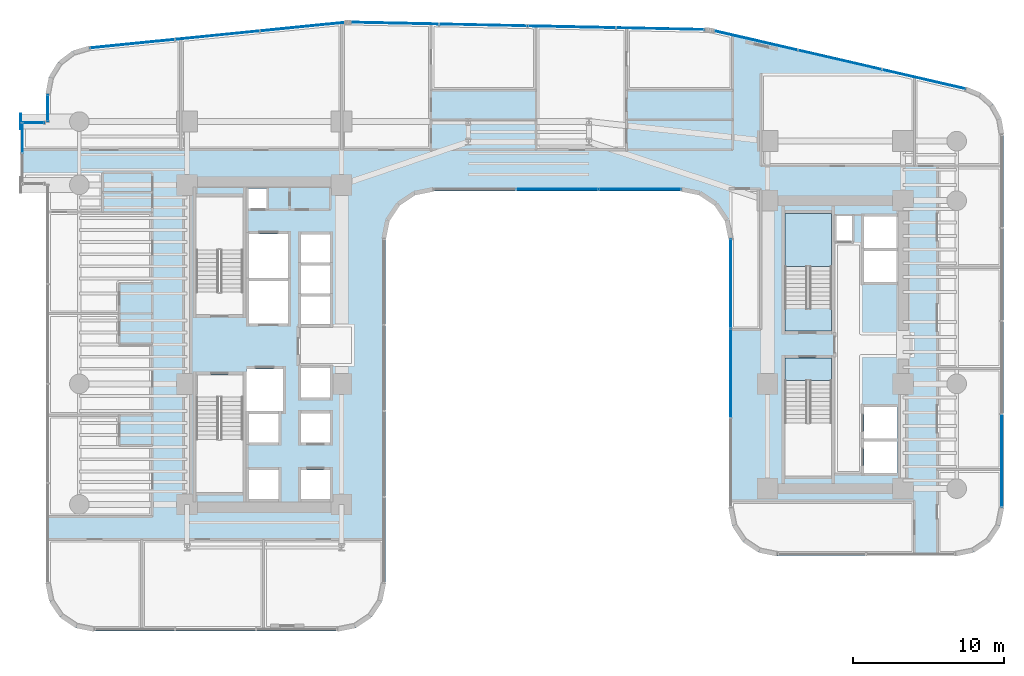
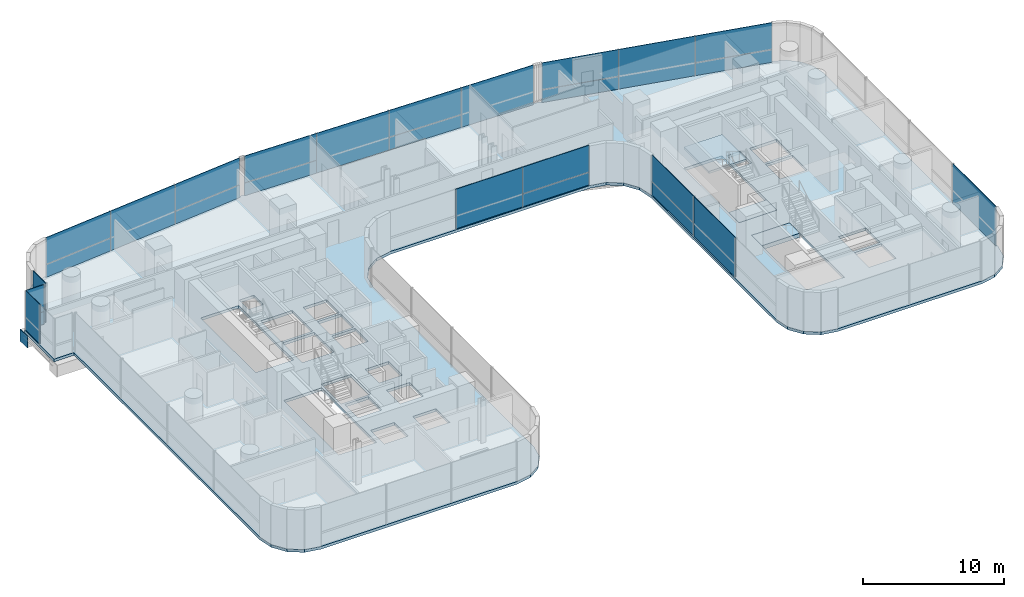
# One storey, part 30 of 41: 29 plates, 4 slabs, 10 elements without a shape of their own.
"""IFC4 building model written with IfcOpenShell, lengths in metres."""

from ifc_helpers import new_model, si_unit, direction, frame, origin, origin_2d, place, context, subcontext, project, spatial, polyline, rectangle, outline, extrude, source, transform, mapped, material, layer, layer_set, type_object, element, aggregate, save


model = new_model("IFC4")

# Units and contexts
model_context = context("Model", 3, precision=1e-05, world=origin(), true_north=direction((0.0, 1.0)))
body_context = subcontext(model_context, "Body", "Model", "MODEL_VIEW")
ifc_project = project(units=[si_unit("LENGTHUNIT", "METRE"), si_unit("AREAUNIT", "SQUARE_METRE"), si_unit("VOLUMEUNIT", "CUBIC_METRE"), si_unit("PLANEANGLEUNIT", "RADIAN"), si_unit("MASSUNIT", "GRAM", prefix="KILO")], contexts=[model_context])

# Site, building, storey
site_placement = place(None, origin())
site = spatial("IfcSite", under=ifc_project, at=site_placement, CompositionType="ELEMENT")
building_placement = place(site_placement, origin())
building = spatial("IfcBuilding", under=site, at=building_placement, Name="Valdorenza Pilgrim Sanctuary Tower", CompositionType="ELEMENT")
storey_placement = place(building_placement, frame((0.0, 0.0, 88.89990234375)))
storey = spatial("IfcBuildingStorey", under=building, at=storey_placement, Name="L22", CompositionType="ELEMENT", Elevation=88.89990234375)

# Slab
ifc_material_1 = material(Name="Concrete C40/50", Category="concrete")
ifc_layer_1 = layer(ifc_material_1, 0.239990234375, Name="Concrete C40/50")
ifc_layer_set_1 = layer_set([ifc_layer_1], Name="Concrete C40/50")
slab_type_1 = type_object("IfcSlabType", Name="SLAB-FLR-220", PredefinedType="FLOOR", material=ifc_layer_set_1)
slab_1_placement = place(storey_placement, frame((0.0, 0.0, -0.239990234375)))
element("IfcSlab", 1, at=slab_1_placement, inside=storey, type_object=slab_type_1, Name="L22 Structural Floor Slab 1", PredefinedType="FLOOR", context=body_context, shape_type="SweptSolid", body=[
    extrude(outline(polyline([(-31.785888671875, 17.754638671875), (-31.172607421875, 18.751220703125), (-30.241943359375, 19.460693359375), (-29.118408203125, 19.7880859375), (-12.192138671875, 21.480712890625), (-11.999755859375, 21.494140625), (-11.9033203125, 21.49658203125), (11.66943359375, 21.0068359375), (11.833984375, 20.999267578125), (11.997802734375, 20.983154296875), (12.160888671875, 20.95849609375), (12.322265625, 20.925537109375), (29.01953125, 17.072509765625), (30.00732421875, 16.660888671875), (30.80419921875, 15.946533203125), (31.321044921875, 15.009521484375), (31.5, 13.954345703125), (31.5, -10.800048828125), (31.25634765625, -12.024658203125), (30.562744140625, -13.062744140625), (29.524658203125, -13.75634765625), (28.300048828125, -14.0), (16.5, -14.0), (15.275390625, -13.75634765625), (14.2373046875, -13.062744140625), (13.543701171875, -12.024658203125), (13.300048828125, -10.800048828125), (13.300048828125, 7.0), (13.056396484375, 8.224609375), (12.36279296875, 9.2626953125), (11.32470703125, 9.956298828125), (10.10009765625, 10.199951171875), (-6.300048828125, 10.199951171875), (-7.524658203125, 9.956298828125), (-8.562744140625, 9.2626953125), (-9.25634765625, 8.224609375), (-9.5, 7.0), (-9.5, -15.800048828125), (-9.74365234375, -17.024658203125), (-10.437255859375, -18.062744140625), (-11.475341796875, -18.75634765625), (-12.699951171875, -19.0), (-28.800048828125, -19.0), (-30.024658203125, -18.75634765625), (-31.062744140625, -18.062744140625), (-31.75634765625, -17.024658203125), (-32.0, -15.800048828125), (-32.0, 10.60009765625), (-33.64990234375, 10.60009765625), (-33.64990234375, 14.800048828125), (-32.0, 14.800048828125), (-32.0, 16.60400390625), (-31.785888671875, 17.754638671875)]), holes=[polyline([(-16.60009765625, -10.25), (-16.60009765625, -8.300048828125), (-18.550048828125, -8.300048828125), (-18.550048828125, -10.25), (-16.60009765625, -10.25)]), polyline([(-22.050048828125, -9.800048828125), (-18.93994140625, -9.800048828125), (-18.93994140625, -3.485107421875), (-18.93994140625, -2.0), (-22.050048828125, -2.0), (-22.050048828125, -3.485107421875), (-22.050048828125, -9.800048828125)]), polyline([(-18.550048828125, -6.5), (-16.60009765625, -6.5), (-16.60009765625, -4.60009765625), (-18.550048828125, -4.60009765625), (-18.550048828125, -6.5)]), polyline([(-13.179931640625, -6.5), (-13.179931640625, -4.550048828125), (-15.10009765625, -4.550048828125), (-15.10009765625, -6.5), (-13.179931640625, -6.5)]), polyline([(-18.719970703125, -4.39990234375), (-16.300048828125, -4.39990234375), (-16.300048828125, -1.60009765625), (-18.719970703125, -1.60009765625), (-18.719970703125, -4.39990234375)]), polyline([(-13.179931640625, -3.5), (-13.179931640625, -1.550048828125), (-15.10009765625, -1.550048828125), (-15.10009765625, -3.5), (-13.179931640625, -3.5)]), polyline([(-22.050048828125, 2.0), (-18.93994140625, 2.0), (-18.93994140625, 3.485107421875), (-18.93994140625, 9.800048828125), (-22.050048828125, 9.800048828125), (-22.050048828125, 3.485107421875), (-22.050048828125, 2.0)]), polyline([(-18.550048828125, 1.39990234375), (-15.949951171875, 1.39990234375), (-15.949951171875, 4.22509765625), (-18.550048828125, 4.22509765625), (-18.550048828125, 1.39990234375)]), polyline([(-15.949951171875, 4.425048828125), (-15.949951171875, 7.35009765625), (-18.550048828125, 7.35009765625), (-18.550048828125, 4.425048828125), (-15.949951171875, 4.425048828125)]), polyline([(-15.10009765625, 5.449951171875), (-13.179931640625, 5.449951171875), (-13.179931640625, 7.300048828125), (-15.10009765625, 7.300048828125), (-15.10009765625, 5.449951171875)]), polyline([(-17.360107421875, 9.030029296875), (-17.360107421875, 10.35009765625), (-18.570068359375, 10.35009765625), (-18.570068359375, 9.030029296875), (-17.360107421875, 9.030029296875)]), polyline([(-15.10009765625, -10.25), (-13.179931640625, -10.25), (-13.179931640625, -8.300048828125), (-15.10009765625, -8.300048828125), (-15.10009765625, -10.25)]), polyline([(22.25, -8.5), (24.47998046875, -8.5), (24.47998046875, -6.425048828125), (22.25, -6.425048828125), (22.25, -8.5)]), polyline([(17.0, -2.385009765625), (17.0, -8.699951171875), (20.110107421875, -8.699951171875), (20.110107421875, -2.385009765625), (20.110107421875, -0.89990234375), (17.0, -0.89990234375), (17.0, -2.385009765625)]), polyline([(22.25, -6.22509765625), (24.47998046875, -6.22509765625), (24.47998046875, -4.14990234375), (22.25, -4.14990234375), (22.25, -6.22509765625)]), polyline([(17.0, 0.89990234375), (20.110107421875, 0.89990234375), (20.110107421875, 2.385009765625), (20.110107421875, 8.699951171875), (17.0, 8.699951171875), (17.0, 2.385009765625), (17.0, 0.89990234375)]), polyline([(-15.10009765625, 1.35009765625), (-13.179931640625, 1.35009765625), (-13.179931640625, 3.199951171875), (-15.10009765625, 3.199951171875), (-15.10009765625, 1.35009765625)]), polyline([(-15.10009765625, 3.39990234375), (-13.179931640625, 3.39990234375), (-13.179931640625, 5.25), (-15.10009765625, 5.25), (-15.10009765625, 3.39990234375)]), polyline([(22.25, 4.14990234375), (24.47998046875, 4.14990234375), (24.47998046875, 6.22509765625), (22.25, 6.22509765625), (22.25, 4.14990234375)]), polyline([(22.25, 6.425048828125), (24.47998046875, 6.425048828125), (24.47998046875, 8.5), (22.25, 8.5), (22.25, 6.425048828125)]), polyline([(20.409912109375, 6.860107421875), (21.489990234375, 6.860107421875), (21.489990234375, 8.52001953125), (20.409912109375, 8.52001953125), (20.409912109375, 6.860107421875)])]), origin(), (0.0, 0.0, 1.0), 0.239990234375),
])

# Stair, slab
stair_type = type_object("IfcStairType", Name="STR-DOG-CORE", PredefinedType="HALF_TURN_STAIR", material=ifc_material_1)
stair_placement = place(storey_placement, origin())
stair = element("IfcStair", 2, at=stair_placement, inside=storey, type_object=stair_type, Name="L22 ST-B1", PredefinedType="HALF_TURN_STAIR")
ifc_layer_2 = layer(ifc_material_1, 0.199951171875, Name="Concrete C40/50")
ifc_layer_set_2 = layer_set([ifc_layer_2], Name="Concrete C40/50")
slab_type_2 = type_object("IfcSlabType", Name="SLAB-STL-200", PredefinedType="LANDING", material=ifc_layer_set_2)
slab_2_placement = place(storey_placement, frame((0.0, 0.0, 1.650146484375)))
slab_2 = element("IfcSlab", 3, at=slab_2_placement, type_object=slab_type_2, Name="ST-B1 landing 1", PredefinedType="LANDING", context=body_context, shape_type="SweptSolid", body=[
    extrude(outline(polyline([(20.110107421875, 5.179931640625), (20.110107421875, 8.699951171875), (17.0, 8.699951171875), (17.0, 5.179931640625), (20.110107421875, 5.179931640625)])), origin(), (0.0, 0.0, 1.0), 0.199951171875),
])
aggregate(stair, [slab_2])

# Slabs
ifc_material_2 = material(Name="Concrete C50/60", Category="concrete")
ifc_layer_3 = layer(ifc_material_2, 0.39990234375, Name="Concrete C50/60")
ifc_layer_set_3 = layer_set([ifc_layer_3], Name="Concrete C50/60")
slab_type_3 = type_object("IfcSlabType", Name="SLAB-TRF-400", PredefinedType="FLOOR", material=ifc_layer_set_3)
slab_3_placement = place(storey_placement, frame((0.0, 0.0, -0.35986328125)))
element("IfcSlab", 4, at=slab_3_placement, inside=storey, type_object=slab_type_3, Name="L22 ST-B1 Structural Stair Landing Bearing Slab", PredefinedType="FLOOR", context=body_context, shape_type="SweptSolid", body=[
    extrude(outline(polyline([(17.0, 0.89990234375), (20.110107421875, 0.89990234375), (20.110107421875, 2.385009765625), (17.0, 2.385009765625), (17.0, 0.89990234375)])), origin(), (0.0, 0.0, 1.0), 0.35986328125),
])
slab_4_placement = place(storey_placement, frame((0.0, 0.0, -0.35986328125)))
element("IfcSlab", 5, at=slab_4_placement, inside=storey, type_object=slab_type_3, Name="L22 ST-B2 Structural Stair Landing Bearing Slab", PredefinedType="FLOOR", context=body_context, shape_type="SweptSolid", body=[
    extrude(outline(polyline([(17.0, -2.385009765625), (20.110107421875, -2.385009765625), (20.110107421875, -0.89990234375), (17.0, -0.89990234375), (17.0, -2.385009765625)])), origin(), (0.0, 0.0, 1.0), 0.35986328125),
])

# Plate
ifc_material_3 = material(Name="Steel ASTM A572 Grade 42", Category="steel")
ifc_layer_4 = layer(ifc_material_3, 0.06005859375, Name="Steel ASTM A572 Grade 42")
ifc_layer_set_4 = layer_set([ifc_layer_4], Name="Steel ASTM A572 Grade 42")
plate_type_1 = type_object("IfcPlateType", Name="PLT-CAP-60", PredefinedType="SHEET", material=ifc_layer_set_4)
shared_shape_1 = source(origin(), body_context, "Body", "SweptSolid", [
    extrude(rectangle(XDim=0.06005859375, YDim=1.0400390625, at=origin_2d()), origin(), (0.0, 0.0, 1.0), 1.0400390625),
])
plate_1_placement = place(storey_placement, frame((-33.679931640625, 14.800048828125, -1.260009765625), z_axis=(0.0, 0.0, 1.0), x_axis=(1.0, 0.0, 0.0)))
element("IfcPlate", 6, at=plate_1_placement, inside=storey, type_object=plate_type_1, Name="L22 BOX-WA-L22 Cantilever Tip End Cap N", PredefinedType="SHEET", context=body_context, shape_type="MappedRepresentation", body=[
    mapped(shared_shape_1, transform((0.0, 0.0, 0.0), x_axis=(1.0, 0.0, 0.0), y_axis=(0.0, 1.0, 0.0), z_axis=(0.0, 0.0, 1.0), scale=1.0)),
])

# Curtain wall, plates
ifc_material_4 = material(Name="Curtain-wall IGU glazing", Category="glass")
curtain_wall_type_1 = type_object("IfcCurtainWallType", Name="CW-SYS-02", PredefinedType="NOTDEFINED", material=ifc_material_4)
curtain_wall_1_placement = place(storey_placement, origin())
curtain_wall_1 = element("IfcCurtainWall", 7, at=curtain_wall_1_placement, inside=storey, type_object=curtain_wall_type_1, Name="L22 Curtain Wall CW-L22-1-6", PredefinedType="NOTDEFINED")
ifc_material_5 = material(Name="Honed travertine limestone", Category="masonry")
ifc_layer_5 = layer(ifc_material_5, 0.050048828125, Name="Honed travertine limestone")
ifc_layer_set_5 = layer_set([ifc_layer_5], Name="Honed travertine limestone")
plate_type_2 = type_object("IfcPlateType", Name="CW-SPN-TRV", PredefinedType="USERDEFINED", material=ifc_layer_set_5)
shared_shape_2 = source(origin(), body_context, "Body", "SweptSolid", [
    extrude(rectangle(XDim=5.646484375, YDim=0.06005859375, at=origin_2d()), origin(), (0.0, 0.0, 1.0), 1.10009765625),
])
plate_2_placement = place(storey_placement, frame((-26.2783203125, 19.961669921875, 0.010009765625), z_axis=(0.0, 0.0, 1.0), x_axis=(0.995038220239, 0.099493418189, 0.0)))
plate_2 = element("IfcPlate", 8, at=plate_2_placement, type_object=plate_type_2, Name="CW-L22-1-6 Travertine Spandrel 1", ObjectType="SPANDREL", PredefinedType="USERDEFINED", context=body_context, shape_type="MappedRepresentation", body=[
    mapped(shared_shape_2, transform((0.0, 0.0, 0.0), x_axis=(1.0, 0.0, 0.0), y_axis=(0.0, 1.0, 0.0), z_axis=(0.0, 0.0, 1.0), scale=1.0)),
])
plate_3_placement = place(storey_placement, frame((-15.001220703125, 21.08935546875, 0.010009765625), z_axis=(0.0, 0.0, 1.0), x_axis=(0.995038220239, 0.099493418189, 0.0)))
plate_3 = element("IfcPlate", 9, at=plate_3_placement, type_object=plate_type_2, Name="CW-L22-1-6 Travertine Spandrel 3", ObjectType="SPANDREL", PredefinedType="USERDEFINED", context=body_context, shape_type="MappedRepresentation", body=[
    mapped(shared_shape_2, transform((0.0, 0.0, 0.0), x_axis=(1.0, 0.0, 0.0), y_axis=(0.0, 1.0, 0.0), z_axis=(0.0, 0.0, 1.0), scale=1.0)),
])
ifc_material_6 = material(Name="Ceramic-fritted low-E IGU glazing", Category="glass")
ifc_layer_6 = layer(ifc_material_6, 0.035888671875, Name="Ceramic-fritted low-E IGU glazing")
ifc_layer_set_6 = layer_set([ifc_layer_6], Name="Ceramic-fritted low-E IGU glazing")
plate_type_3 = type_object("IfcPlateType", Name="CW-GLZ-IGU", PredefinedType="USERDEFINED", material=ifc_layer_set_6)
shared_shape_3 = source(origin(), body_context, "Body", "SweptSolid", [
    extrude(rectangle(XDim=5.646484375, YDim=0.050048828125, at=origin_2d()), origin(), (0.0, 0.0, 1.0), 2.320068359375),
])
plate_4_placement = place(storey_placement, frame((-26.2783203125, 19.961669921875, 1.1298828125), z_axis=(0.0, 0.0, 1.0), x_axis=(0.995038220239, 0.099493418189, 0.0)))
plate_4 = element("IfcPlate", 10, at=plate_4_placement, type_object=plate_type_3, Name="CW-L22-1-6 Facade Panel 1", ObjectType="GLAZING", PredefinedType="USERDEFINED", context=body_context, shape_type="MappedRepresentation", body=[
    mapped(shared_shape_3, transform((0.0, 0.0, 0.0), x_axis=(1.0, 0.0, 0.0), y_axis=(0.0, 1.0, 0.0), z_axis=(0.0, 0.0, 1.0), scale=1.0)),
])
plate_5_placement = place(storey_placement, frame((-15.001220703125, 21.08935546875, 1.1298828125), z_axis=(0.0, 0.0, 1.0), x_axis=(0.995038220239, 0.099493418189, 0.0)))
plate_5 = element("IfcPlate", 11, at=plate_5_placement, type_object=plate_type_3, Name="CW-L22-1-6 Facade Panel 3", ObjectType="GLAZING", PredefinedType="USERDEFINED", context=body_context, shape_type="MappedRepresentation", body=[
    mapped(shared_shape_3, transform((0.0, 0.0, 0.0), x_axis=(1.0, 0.0, 0.0), y_axis=(0.0, 1.0, 0.0), z_axis=(0.0, 0.0, 1.0), scale=1.0)),
])
shared_shape_4 = source(origin(), body_context, "Body", "SweptSolid", [
    extrude(rectangle(XDim=5.646484375, YDim=0.050048828125, at=origin_2d()), origin(), (0.0, 0.0, 1.0), 3.43994140625),
])
plate_6_placement = place(storey_placement, frame((-20.6396484375, 20.525634765625, 0.010009765625), z_axis=(0.0, 0.0, 1.0), x_axis=(0.995038220239, 0.099493418189, 0.0)))
plate_6 = element("IfcPlate", 12, at=plate_6_placement, type_object=plate_type_3, Name="CW-L22-1-6 Full-Height Facade Panel 2", ObjectType="GLAZING", PredefinedType="USERDEFINED", context=body_context, shape_type="MappedRepresentation", body=[
    mapped(shared_shape_4, transform((0.0, 0.0, 0.0), x_axis=(1.0, 0.0, 0.0), y_axis=(0.0, 1.0, 0.0), z_axis=(0.0, 0.0, 1.0), scale=1.0)),
])
aggregate(curtain_wall_1, [plate_2, plate_4, plate_6, plate_3, plate_5])

curtain_wall_2_placement = place(storey_placement, origin())
curtain_wall_2 = element("IfcCurtainWall", 13, at=curtain_wall_2_placement, inside=storey, type_object=curtain_wall_type_1, Name="L22 Curtain Wall CW-L22-1-11", PredefinedType="NOTDEFINED")
shared_shape_5 = source(origin(), body_context, "Body", "SweptSolid", [
    extrude(rectangle(XDim=5.849853515625, YDim=0.06005859375, at=origin_2d()), origin(), (0.0, 0.0, 1.0), 1.10009765625),
])
plate_7_placement = place(storey_placement, frame((-8.8740234375, 21.324951171875, 0.010009765625), z_axis=(0.0, 0.0, 1.0), x_axis=(0.999783234613, -0.020820273474, 0.0)))
plate_7 = element("IfcPlate", 14, at=plate_7_placement, type_object=plate_type_2, Name="CW-L22-1-11 Travertine Spandrel 1", ObjectType="SPANDREL", PredefinedType="USERDEFINED", context=body_context, shape_type="MappedRepresentation", body=[
    mapped(shared_shape_5, transform((0.0, 0.0, 0.0), x_axis=(1.0, 0.0, 0.0), y_axis=(0.0, 1.0, 0.0), z_axis=(0.0, 0.0, 1.0), scale=1.0)),
])
plate_8_placement = place(storey_placement, frame((2.86279296875, 21.080322265625, 0.010009765625), z_axis=(0.0, 0.0, 1.0), x_axis=(0.999783234613, -0.020820273474, 0.0)))
plate_8 = element("IfcPlate", 15, at=plate_8_placement, type_object=plate_type_2, Name="CW-L22-1-11 Travertine Spandrel 3", ObjectType="SPANDREL", PredefinedType="USERDEFINED", context=body_context, shape_type="MappedRepresentation", body=[
    mapped(shared_shape_5, transform((0.0, 0.0, 0.0), x_axis=(1.0, 0.0, 0.0), y_axis=(0.0, 1.0, 0.0), z_axis=(0.0, 0.0, 1.0), scale=1.0)),
])
shared_shape_6 = source(origin(), body_context, "Body", "SweptSolid", [
    extrude(rectangle(XDim=5.849853515625, YDim=0.050048828125, at=origin_2d()), origin(), (0.0, 0.0, 1.0), 2.320068359375),
])
plate_9_placement = place(storey_placement, frame((-8.8740234375, 21.324951171875, 1.1298828125), z_axis=(0.0, 0.0, 1.0), x_axis=(0.999783234613, -0.020820273474, 0.0)))
plate_9 = element("IfcPlate", 16, at=plate_9_placement, type_object=plate_type_3, Name="CW-L22-1-11 Facade Panel 1", ObjectType="GLAZING", PredefinedType="USERDEFINED", context=body_context, shape_type="MappedRepresentation", body=[
    mapped(shared_shape_6, transform((0.0, 0.0, 0.0), x_axis=(1.0, 0.0, 0.0), y_axis=(0.0, 1.0, 0.0), z_axis=(0.0, 0.0, 1.0), scale=1.0)),
])
plate_10_placement = place(storey_placement, frame((2.86279296875, 21.080322265625, 1.1298828125), z_axis=(0.0, 0.0, 1.0), x_axis=(0.999783234613, -0.020820273474, 0.0)))
plate_10 = element("IfcPlate", 17, at=plate_10_placement, type_object=plate_type_3, Name="CW-L22-1-11 Facade Panel 3", ObjectType="GLAZING", PredefinedType="USERDEFINED", context=body_context, shape_type="MappedRepresentation", body=[
    mapped(shared_shape_6, transform((0.0, 0.0, 0.0), x_axis=(1.0, 0.0, 0.0), y_axis=(0.0, 1.0, 0.0), z_axis=(0.0, 0.0, 1.0), scale=1.0)),
])
shared_shape_7 = source(origin(), body_context, "Body", "SweptSolid", [
    extrude(rectangle(XDim=5.849853515625, YDim=0.050048828125, at=origin_2d()), origin(), (0.0, 0.0, 1.0), 3.43994140625),
])
plate_11_placement = place(storey_placement, frame((-3.005615234375, 21.20263671875, 0.010009765625), z_axis=(0.0, 0.0, 1.0), x_axis=(0.999783234613, -0.020820273474, 0.0)))
plate_11 = element("IfcPlate", 18, at=plate_11_placement, type_object=plate_type_3, Name="CW-L22-1-11 Full-Height Facade Panel 2", ObjectType="GLAZING", PredefinedType="USERDEFINED", context=body_context, shape_type="MappedRepresentation", body=[
    mapped(shared_shape_7, transform((0.0, 0.0, 0.0), x_axis=(1.0, 0.0, 0.0), y_axis=(0.0, 1.0, 0.0), z_axis=(0.0, 0.0, 1.0), scale=1.0)),
])
plate_12_placement = place(storey_placement, frame((8.7314453125, 20.9580078125, 0.010009765625), z_axis=(0.0, 0.0, 1.0), x_axis=(0.999783234613, -0.020820273474, 0.0)))
plate_12 = element("IfcPlate", 19, at=plate_12_placement, type_object=plate_type_3, Name="CW-L22-1-11 Full-Height Facade Panel 4", ObjectType="GLAZING", PredefinedType="USERDEFINED", context=body_context, shape_type="MappedRepresentation", body=[
    mapped(shared_shape_7, transform((0.0, 0.0, 0.0), x_axis=(1.0, 0.0, 0.0), y_axis=(0.0, 1.0, 0.0), z_axis=(0.0, 0.0, 1.0), scale=1.0)),
])
aggregate(curtain_wall_2, [plate_7, plate_9, plate_11, plate_8, plate_10, plate_12])

curtain_wall_type_2 = type_object("IfcCurtainWallType", Name="CW-SYS-03", PredefinedType="NOTDEFINED", material=ifc_material_4)
curtain_wall_3_placement = place(storey_placement, origin())
curtain_wall_3 = element("IfcCurtainWall", 20, at=curtain_wall_3_placement, inside=storey, type_object=curtain_wall_type_2, Name="L22 Curtain Wall CW-L22-1-16", PredefinedType="NOTDEFINED")
shared_shape_8 = source(origin(), body_context, "Body", "SweptSolid", [
    extrude(rectangle(XDim=5.6884765625, YDim=0.06005859375, at=origin_2d()), origin(), (0.0, 0.0, 1.0), 1.10009765625),
])
plate_13_placement = place(storey_placement, frame((15.080078125, 20.17626953125, 0.010009765625), z_axis=(0.0, 0.0, 1.0), x_axis=(0.974389691758, -0.224866023659, 0.0)))
plate_13 = element("IfcPlate", 21, at=plate_13_placement, type_object=plate_type_2, Name="CW-L22-1-16 Travertine Spandrel 1", ObjectType="SPANDREL", PredefinedType="USERDEFINED", context=body_context, shape_type="MappedRepresentation", body=[
    mapped(shared_shape_8, transform((0.0, 0.0, 0.0), x_axis=(1.0, 0.0, 0.0), y_axis=(0.0, 1.0, 0.0), z_axis=(0.0, 0.0, 1.0), scale=1.0)),
])
plate_14_placement = place(storey_placement, frame((26.20458984375, 17.609130859375, 0.010009765625), z_axis=(0.0, 0.0, 1.0), x_axis=(0.974389691758, -0.224866023659, 0.0)))
plate_14 = element("IfcPlate", 22, at=plate_14_placement, type_object=plate_type_2, Name="CW-L22-1-16 Travertine Spandrel 3", ObjectType="SPANDREL", PredefinedType="USERDEFINED", context=body_context, shape_type="MappedRepresentation", body=[
    mapped(shared_shape_8, transform((0.0, 0.0, 0.0), x_axis=(1.0, 0.0, 0.0), y_axis=(0.0, 1.0, 0.0), z_axis=(0.0, 0.0, 1.0), scale=1.0)),
])
shared_shape_9 = source(origin(), body_context, "Body", "SweptSolid", [
    extrude(rectangle(XDim=5.6884765625, YDim=0.050048828125, at=origin_2d()), origin(), (0.0, 0.0, 1.0), 2.320068359375),
])
plate_15_placement = place(storey_placement, frame((15.080078125, 20.17626953125, 1.1298828125), z_axis=(0.0, 0.0, 1.0), x_axis=(0.974389691758, -0.224866023659, 0.0)))
plate_15 = element("IfcPlate", 23, at=plate_15_placement, type_object=plate_type_3, Name="CW-L22-1-16 Facade Panel 1", ObjectType="GLAZING", PredefinedType="USERDEFINED", context=body_context, shape_type="MappedRepresentation", body=[
    mapped(shared_shape_9, transform((0.0, 0.0, 0.0), x_axis=(1.0, 0.0, 0.0), y_axis=(0.0, 1.0, 0.0), z_axis=(0.0, 0.0, 1.0), scale=1.0)),
])
plate_16_placement = place(storey_placement, frame((26.20458984375, 17.609130859375, 1.1298828125), z_axis=(0.0, 0.0, 1.0), x_axis=(0.974389691758, -0.224866023659, 0.0)))
plate_16 = element("IfcPlate", 24, at=plate_16_placement, type_object=plate_type_3, Name="CW-L22-1-16 Facade Panel 3", ObjectType="GLAZING", PredefinedType="USERDEFINED", context=body_context, shape_type="MappedRepresentation", body=[
    mapped(shared_shape_9, transform((0.0, 0.0, 0.0), x_axis=(1.0, 0.0, 0.0), y_axis=(0.0, 1.0, 0.0), z_axis=(0.0, 0.0, 1.0), scale=1.0)),
])
shared_shape_10 = source(origin(), body_context, "Body", "SweptSolid", [
    extrude(rectangle(XDim=5.6884765625, YDim=0.050048828125, at=origin_2d()), origin(), (0.0, 0.0, 1.0), 3.43994140625),
])
plate_17_placement = place(storey_placement, frame((20.642333984375, 18.892578125, 0.010009765625), z_axis=(0.0, 0.0, 1.0), x_axis=(0.974389691758, -0.224866023659, 0.0)))
plate_17 = element("IfcPlate", 25, at=plate_17_placement, type_object=plate_type_3, Name="CW-L22-1-16 Full-Height Facade Panel 2", ObjectType="GLAZING", PredefinedType="USERDEFINED", context=body_context, shape_type="MappedRepresentation", body=[
    mapped(shared_shape_10, transform((0.0, 0.0, 0.0), x_axis=(1.0, 0.0, 0.0), y_axis=(0.0, 1.0, 0.0), z_axis=(0.0, 0.0, 1.0), scale=1.0)),
])
aggregate(curtain_wall_3, [plate_13, plate_15, plate_17, plate_14, plate_16])

# Curtain wall, plate
curtain_wall_4_placement = place(storey_placement, origin())
curtain_wall_4 = element("IfcCurtainWall", 26, at=curtain_wall_4_placement, inside=storey, type_object=curtain_wall_type_2, Name="L22 Curtain Wall CW-L22-1-21", PredefinedType="NOTDEFINED")
shared_shape_11 = source(origin(), body_context, "Body", "SweptSolid", [
    extrude(rectangle(XDim=6.16357421875, YDim=0.050048828125, at=origin_2d()), origin(), (0.0, 0.0, 1.0), 3.43994140625),
])
plate_18_placement = place(storey_placement, frame((31.389892578125, -7.697509765625, 0.010009765625), z_axis=(0.0, 0.0, 1.0), x_axis=(0.0, -1.0, 0.0)))
plate_18 = element("IfcPlate", 27, at=plate_18_placement, type_object=plate_type_3, Name="CW-L22-1-21 Full-Height Facade Panel 4", ObjectType="GLAZING", PredefinedType="USERDEFINED", context=body_context, shape_type="MappedRepresentation", body=[
    mapped(shared_shape_11, transform((0.0, 0.0, 0.0), x_axis=(1.0, 0.0, 0.0), y_axis=(0.0, 1.0, 0.0), z_axis=(0.0, 0.0, 1.0), scale=1.0)),
])
aggregate(curtain_wall_4, [plate_18])

# Curtain wall, plates
curtain_wall_5_placement = place(storey_placement, origin())
curtain_wall_5 = element("IfcCurtainWall", 28, at=curtain_wall_5_placement, inside=storey, type_object=curtain_wall_type_2, Name="L22 Curtain Wall CW-L22-1-31", PredefinedType="NOTDEFINED")
shared_shape_12 = source(origin(), body_context, "Body", "SweptSolid", [
    extrude(rectangle(XDim=5.913330078125, YDim=0.06005859375, at=origin_2d()), origin(), (0.0, 0.0, 1.0), 1.10009765625),
])
plate_19_placement = place(storey_placement, frame((13.409912109375, 4.044189453125, 0.010009765625), z_axis=(0.0, 0.0, 1.0), x_axis=(0.0, 1.0, 0.0)))
plate_19 = element("IfcPlate", 29, at=plate_19_placement, type_object=plate_type_2, Name="CW-L22-1-31 Travertine Spandrel 3", ObjectType="SPANDREL", PredefinedType="USERDEFINED", context=body_context, shape_type="MappedRepresentation", body=[
    mapped(shared_shape_12, transform((0.0, 0.0, 0.0), x_axis=(1.0, 0.0, 0.0), y_axis=(0.0, 1.0, 0.0), z_axis=(0.0, 0.0, 1.0), scale=1.0)),
])
shared_shape_13 = source(origin(), body_context, "Body", "SweptSolid", [
    extrude(rectangle(XDim=5.913330078125, YDim=0.050048828125, at=origin_2d()), origin(), (0.0, 0.0, 1.0), 2.320068359375),
])
plate_20_placement = place(storey_placement, frame((13.409912109375, 4.044189453125, 1.1298828125), z_axis=(0.0, 0.0, 1.0), x_axis=(0.0, 1.0, 0.0)))
plate_20 = element("IfcPlate", 30, at=plate_20_placement, type_object=plate_type_3, Name="CW-L22-1-31 Facade Panel 3", ObjectType="GLAZING", PredefinedType="USERDEFINED", context=body_context, shape_type="MappedRepresentation", body=[
    mapped(shared_shape_13, transform((0.0, 0.0, 0.0), x_axis=(1.0, 0.0, 0.0), y_axis=(0.0, 1.0, 0.0), z_axis=(0.0, 0.0, 1.0), scale=1.0)),
])
shared_shape_14 = source(origin(), body_context, "Body", "SweptSolid", [
    extrude(rectangle(XDim=5.913330078125, YDim=0.050048828125, at=origin_2d()), origin(), (0.0, 0.0, 1.0), 3.43994140625),
])
plate_21_placement = place(storey_placement, frame((13.409912109375, -1.88916015625, 0.010009765625), z_axis=(0.0, 0.0, 1.0), x_axis=(0.0, 1.0, 0.0)))
plate_21 = element("IfcPlate", 31, at=plate_21_placement, type_object=plate_type_3, Name="CW-L22-1-31 Full-Height Facade Panel 2", ObjectType="GLAZING", PredefinedType="USERDEFINED", context=body_context, shape_type="MappedRepresentation", body=[
    mapped(shared_shape_14, transform((0.0, 0.0, 0.0), x_axis=(1.0, 0.0, 0.0), y_axis=(0.0, 1.0, 0.0), z_axis=(0.0, 0.0, 1.0), scale=1.0)),
])
aggregate(curtain_wall_5, [plate_21, plate_19, plate_20])

curtain_wall_6_placement = place(storey_placement, origin())
curtain_wall_6 = element("IfcCurtainWall", 32, at=curtain_wall_6_placement, inside=storey, type_object=curtain_wall_type_1, Name="L22 Curtain Wall CW-L22-1-36", PredefinedType="NOTDEFINED")
shared_shape_15 = source(origin(), body_context, "Body", "SweptSolid", [
    extrude(rectangle(XDim=5.453857421875, YDim=0.06005859375, at=origin_2d()), origin(), (0.0, 0.0, 1.0), 1.10009765625),
])
plate_22_placement = place(storey_placement, frame((7.373779296875, 10.31005859375, 0.010009765625), z_axis=(0.0, 0.0, 1.0), x_axis=(-1.0, 0.0, 0.0)))
plate_22 = element("IfcPlate", 33, at=plate_22_placement, type_object=plate_type_2, Name="CW-L22-1-36 Travertine Spandrel 1", ObjectType="SPANDREL", PredefinedType="USERDEFINED", context=body_context, shape_type="MappedRepresentation", body=[
    mapped(shared_shape_15, transform((0.0, 0.0, 0.0), x_axis=(1.0, 0.0, 0.0), y_axis=(0.0, 1.0, 0.0), z_axis=(0.0, 0.0, 1.0), scale=1.0)),
])
shared_shape_16 = source(origin(), body_context, "Body", "SweptSolid", [
    extrude(rectangle(XDim=5.453857421875, YDim=0.050048828125, at=origin_2d()), origin(), (0.0, 0.0, 1.0), 2.320068359375),
])
plate_23_placement = place(storey_placement, frame((7.373779296875, 10.31005859375, 1.1298828125), z_axis=(0.0, 0.0, 1.0), x_axis=(-1.0, 0.0, 0.0)))
plate_23 = element("IfcPlate", 34, at=plate_23_placement, type_object=plate_type_3, Name="CW-L22-1-36 Facade Panel 1", ObjectType="GLAZING", PredefinedType="USERDEFINED", context=body_context, shape_type="MappedRepresentation", body=[
    mapped(shared_shape_16, transform((0.0, 0.0, 0.0), x_axis=(1.0, 0.0, 0.0), y_axis=(0.0, 1.0, 0.0), z_axis=(0.0, 0.0, 1.0), scale=1.0)),
])
shared_shape_17 = source(origin(), body_context, "Body", "SweptSolid", [
    extrude(rectangle(XDim=5.453857421875, YDim=0.050048828125, at=origin_2d()), origin(), (0.0, 0.0, 1.0), 3.43994140625),
])
plate_24_placement = place(storey_placement, frame((1.89990234375, 10.31005859375, 0.010009765625), z_axis=(0.0, 0.0, 1.0), x_axis=(-1.0, 0.0, 0.0)))
plate_24 = element("IfcPlate", 35, at=plate_24_placement, type_object=plate_type_3, Name="CW-L22-1-36 Full-Height Facade Panel 2", ObjectType="GLAZING", PredefinedType="USERDEFINED", context=body_context, shape_type="MappedRepresentation", body=[
    mapped(shared_shape_17, transform((0.0, 0.0, 0.0), x_axis=(1.0, 0.0, 0.0), y_axis=(0.0, 1.0, 0.0), z_axis=(0.0, 0.0, 1.0), scale=1.0)),
])
aggregate(curtain_wall_6, [plate_22, plate_23, plate_24])

curtain_wall_7_placement = place(storey_placement, origin())
curtain_wall_7 = element("IfcCurtainWall", 36, at=curtain_wall_7_placement, inside=storey, type_object=curtain_wall_type_1, Name="L22 Curtain Wall CW-L22-BOX-WA-L22-N", PredefinedType="NOTDEFINED")
shared_shape_18 = source(origin(), body_context, "Body", "SweptSolid", [
    extrude(rectangle(XDim=1.43994140625, YDim=0.06005859375, at=origin_2d()), origin(), (0.0, 0.0, 1.0), 1.10009765625),
])
plate_25_placement = place(storey_placement, frame((-32.840087890625, 14.719970703125, 0.010009765625), z_axis=(0.0, 0.0, 1.0), x_axis=(1.0, 0.0, 0.0)))
plate_25 = element("IfcPlate", 37, at=plate_25_placement, type_object=plate_type_2, Name="CW-L22-BOX-WA-L22-N Travertine Spandrel 1", ObjectType="SPANDREL", PredefinedType="USERDEFINED", context=body_context, shape_type="MappedRepresentation", body=[
    mapped(shared_shape_18, transform((0.0, 0.0, 0.0), x_axis=(1.0, 0.0, 0.0), y_axis=(0.0, 1.0, 0.0), z_axis=(0.0, 0.0, 1.0), scale=1.0)),
])
shared_shape_19 = source(origin(), body_context, "Body", "SweptSolid", [
    extrude(rectangle(XDim=1.43994140625, YDim=0.050048828125, at=origin_2d()), origin(), (0.0, 0.0, 1.0), 2.320068359375),
])
plate_26_placement = place(storey_placement, frame((-32.840087890625, 14.719970703125, 1.1298828125), z_axis=(0.0, 0.0, 1.0), x_axis=(1.0, 0.0, 0.0)))
plate_26 = element("IfcPlate", 38, at=plate_26_placement, type_object=plate_type_3, Name="CW-L22-BOX-WA-L22-N Facade Panel 1", ObjectType="GLAZING", PredefinedType="USERDEFINED", context=body_context, shape_type="MappedRepresentation", body=[
    mapped(shared_shape_19, transform((0.0, 0.0, 0.0), x_axis=(1.0, 0.0, 0.0), y_axis=(0.0, 1.0, 0.0), z_axis=(0.0, 0.0, 1.0), scale=1.0)),
])
aggregate(curtain_wall_7, [plate_25, plate_26])

curtain_wall_8_placement = place(storey_placement, origin())
curtain_wall_8 = element("IfcCurtainWall", 39, at=curtain_wall_8_placement, inside=storey, type_object=curtain_wall_type_1, Name="L22 Curtain Wall CW-L22-1-1S2", PredefinedType="NOTDEFINED")
shared_shape_20 = source(origin(), body_context, "Body", "SweptSolid", [
    extrude(rectangle(XDim=1.77392578125, YDim=0.06005859375, at=origin_2d()), origin(), (0.0, 0.0, 1.0), 1.10009765625),
])
plate_27_placement = place(storey_placement, frame((-31.889892578125, 15.697021484375, 0.010009765625), z_axis=(0.0, 0.0, 1.0), x_axis=(0.0, 1.0, 0.0)))
plate_27 = element("IfcPlate", 40, at=plate_27_placement, type_object=plate_type_2, Name="CW-L22-1-1S2 Travertine Spandrel 1", ObjectType="SPANDREL", PredefinedType="USERDEFINED", context=body_context, shape_type="MappedRepresentation", body=[
    mapped(shared_shape_20, transform((0.0, 0.0, 0.0), x_axis=(1.0, 0.0, 0.0), y_axis=(0.0, 1.0, 0.0), z_axis=(0.0, 0.0, 1.0), scale=1.0)),
])
shared_shape_21 = source(origin(), body_context, "Body", "SweptSolid", [
    extrude(rectangle(XDim=1.77392578125, YDim=0.050048828125, at=origin_2d()), origin(), (0.0, 0.0, 1.0), 2.320068359375),
])
plate_28_placement = place(storey_placement, frame((-31.889892578125, 15.697021484375, 1.1298828125), z_axis=(0.0, 0.0, 1.0), x_axis=(0.0, 1.0, 0.0)))
plate_28 = element("IfcPlate", 41, at=plate_28_placement, type_object=plate_type_3, Name="CW-L22-1-1S2 Facade Panel 1", ObjectType="GLAZING", PredefinedType="USERDEFINED", context=body_context, shape_type="MappedRepresentation", body=[
    mapped(shared_shape_21, transform((0.0, 0.0, 0.0), x_axis=(1.0, 0.0, 0.0), y_axis=(0.0, 1.0, 0.0), z_axis=(0.0, 0.0, 1.0), scale=1.0)),
])
aggregate(curtain_wall_8, [plate_27, plate_28])

# Curtain wall, plate
curtain_wall_9_placement = place(storey_placement, origin())
curtain_wall_9 = element("IfcCurtainWall", 42, at=curtain_wall_9_placement, inside=storey, type_object=curtain_wall_type_1, Name="L22 Curtain Wall CW-L22-BOX-WA-L22-F", PredefinedType="NOTDEFINED")
shared_shape_22 = source(origin(), body_context, "Body", "SweptSolid", [
    extrude(rectangle(XDim=2.0, YDim=0.050048828125, at=origin_2d()), origin(), (0.0, 0.0, 1.0), 3.43994140625),
])
plate_29_placement = place(storey_placement, frame((-33.570068359375, 13.7099609375, 0.010009765625), z_axis=(0.0, 0.0, 1.0), x_axis=(0.0, 1.0, 0.0)))
plate_29 = element("IfcPlate", 43, at=plate_29_placement, type_object=plate_type_3, Name="CW-L22-BOX-WA-L22-F Full-Height Facade Panel 2", ObjectType="GLAZING", PredefinedType="USERDEFINED", context=body_context, shape_type="MappedRepresentation", body=[
    mapped(shared_shape_22, transform((0.0, 0.0, 0.0), x_axis=(1.0, 0.0, 0.0), y_axis=(0.0, 1.0, 0.0), z_axis=(0.0, 0.0, 1.0), scale=1.0)),
])
aggregate(curtain_wall_9, [plate_29])

save(model, "model.ifc")
